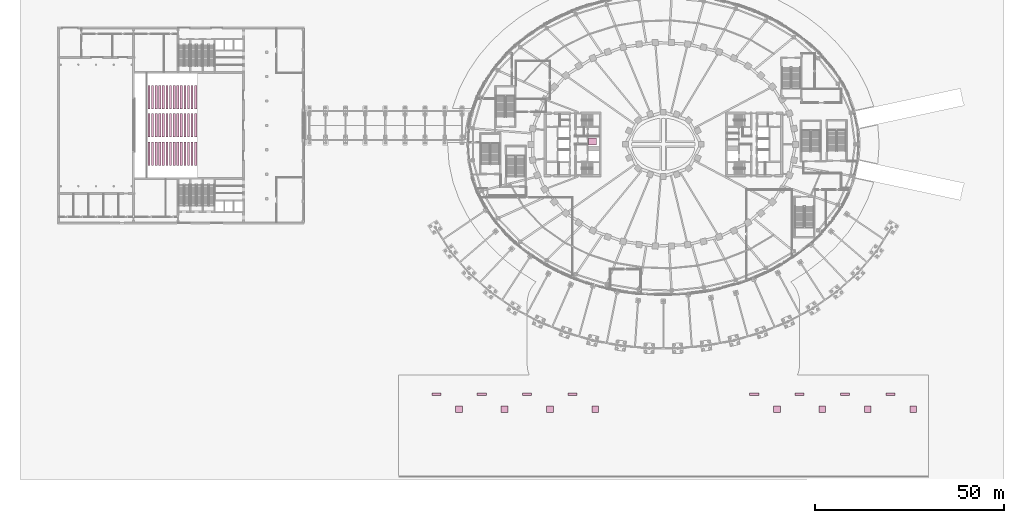
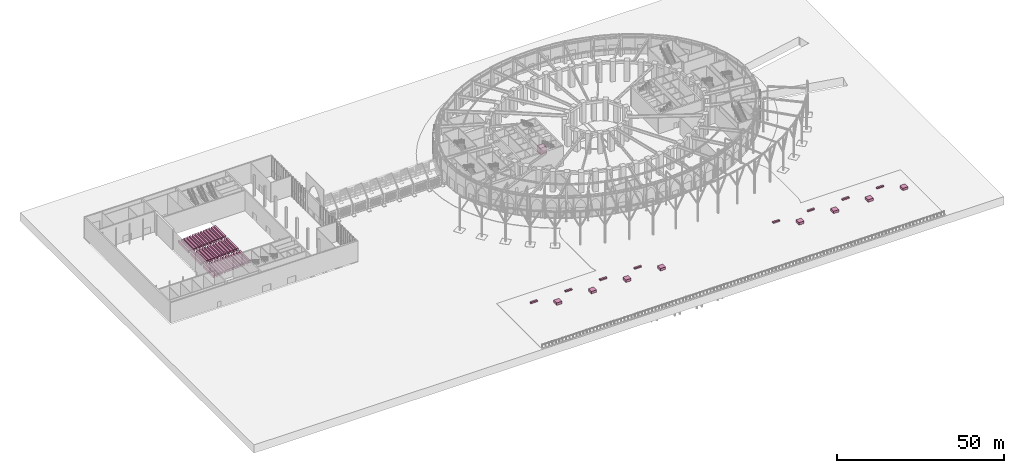
# One storey, part 79 of 79: 58 furnishings, 1 transport element.
"""IFC4 building model written with IfcOpenShell, lengths in metres."""

from ifc_helpers import new_model, si_unit, direction, frame, origin, origin_2d, place, context, subcontext, project, spatial, rectangle, extrude, material, type_object, element, save


model = new_model("IFC4")

# Units and contexts
model_context = context("Model", 3, precision=1e-05, world=origin(), true_north=direction((0.0, 1.0)))
body_context = subcontext(model_context, "Body", "Model", "MODEL_VIEW")
ifc_project = project(units=[si_unit("LENGTHUNIT", "METRE"), si_unit("AREAUNIT", "SQUARE_METRE"), si_unit("VOLUMEUNIT", "CUBIC_METRE"), si_unit("PLANEANGLEUNIT", "RADIAN"), si_unit("MASSUNIT", "GRAM", prefix="KILO")], contexts=[model_context])

# Site, building, storey
site_placement = place(None, origin())
site = spatial("IfcSite", under=ifc_project, at=site_placement, CompositionType="ELEMENT")
building_placement = place(site_placement, origin())
building = spatial("IfcBuilding", under=site, at=building_placement, Name="Noorbagh Ring Tower", CompositionType="ELEMENT")
storey_placement = place(building_placement, origin())
storey = spatial("IfcBuildingStorey", under=building, at=storey_placement, Name="L00", CompositionType="ELEMENT", Elevation=0.0)

# Transport element
ifc_material_1 = material(Name="Brushed stainless steel", Category="steel")
transport_element_type = type_object("IfcTransportElementType", Name="CORE-LIFT-OB", PredefinedType="ELEVATOR", material=ifc_material_1)
transport_element_placement = place(storey_placement, frame((-18.699951171875, 0.77490234375, 0.0), z_axis=(0.0, 0.0, 1.0), x_axis=(1.0, 0.0, 0.0)))
element("IfcTransportElement", 1, at=transport_element_placement, inside=storey, type_object=transport_element_type, Name="Lift OB1", PredefinedType="ELEVATOR", context=body_context, shape_type="SweptSolid", body=[
    extrude(rectangle(XDim=2.10009765625, YDim=1.800048828125, at=origin_2d()), origin(), (0.0, 0.0, 1.0), 2.39990234375),
])

# Furnishings
ifc_material_2 = material(Name="Red sandstone", Category="masonry")
furnishing_element_type_1 = type_object("IfcFurnishingElementType", Name="GND-BENCH", material=ifc_material_2)
for number, where, z_axis, x_axis, name in (
    (2, (-60.0, -66.0, 0.0), (0.0, 0.0, 1.0), (1.0, 0.0, 0.0), "BENCH"),
    (3, (-48.0, -66.0, 0.0), (0.0, 0.0, 1.0), (1.0, 0.0, 0.0), "BENCH"),
    (4, (-36.0, -66.0, 0.0), (0.0, 0.0, 1.0), (1.0, 0.0, 0.0), "BENCH"),
    (5, (-24.0, -66.0, 0.0), (0.0, 0.0, 1.0), (1.0, 0.0, 0.0), "BENCH"),
    (6, (24.0, -66.0, 0.0), (0.0, 0.0, 1.0), (1.0, 0.0, 0.0), "BENCH"),
    (7, (36.0, -66.0, 0.0), (0.0, 0.0, 1.0), (1.0, 0.0, 0.0), "BENCH"),
    (8, (48.0, -66.0, 0.0), (0.0, 0.0, 1.0), (1.0, 0.0, 0.0), "BENCH"),
    (9, (60.0, -66.0, 0.0), (0.0, 0.0, 1.0), (1.0, 0.0, 0.0), "BENCH"),
):
    element("IfcFurnishingElement", number, at=place(storey_placement, frame(where, z_axis=z_axis, x_axis=x_axis)), inside=storey, type_object=furnishing_element_type_1, Name=name, context=body_context, shape_type="SweptSolid", body=[
        extrude(rectangle(XDim=2.39990234375, YDim=0.60009765625, at=origin_2d()), origin(), (0.0, 0.0, 1.0), 0.449951171875),
    ])
ifc_material_3 = material(Name="Concrete C40/50", Category="concrete")
furnishing_element_type_2 = type_object("IfcFurnishingElementType", Name="GND-PLANTER", material=ifc_material_3)
for number, where, z_axis, x_axis, name in (
    (10, (-54.0, -70.0, 0.0), (0.0, 0.0, 1.0), (1.0, 0.0, 0.0), "PLANTER"),
    (11, (-42.0, -70.0, 0.0), (0.0, 0.0, 1.0), (1.0, 0.0, 0.0), "PLANTER"),
    (12, (-30.0, -70.0, 0.0), (0.0, 0.0, 1.0), (1.0, 0.0, 0.0), "PLANTER"),
    (13, (-18.0, -70.0, 0.0), (0.0, 0.0, 1.0), (1.0, 0.0, 0.0), "PLANTER"),
    (14, (30.0, -70.0, 0.0), (0.0, 0.0, 1.0), (1.0, 0.0, 0.0), "PLANTER"),
    (15, (42.0, -70.0, 0.0), (0.0, 0.0, 1.0), (1.0, 0.0, 0.0), "PLANTER"),
    (16, (54.0, -70.0, 0.0), (0.0, 0.0, 1.0), (1.0, 0.0, 0.0), "PLANTER"),
    (17, (66.0, -70.0, 0.0), (0.0, 0.0, 1.0), (1.0, 0.0, 0.0), "PLANTER"),
):
    element("IfcFurnishingElement", number, at=place(storey_placement, frame(where, z_axis=z_axis, x_axis=x_axis)), inside=storey, type_object=furnishing_element_type_2, Name=name, context=body_context, shape_type="SweptSolid", body=[
        extrude(rectangle(XDim=1.800048828125, YDim=1.800048828125, at=origin_2d()), origin(), (0.0, 0.0, 1.0), 0.89990234375),
    ])
ifc_material_4 = material(Name="Upholstered timber seating", Category="wood")
furnishing_element_type_3 = type_object("IfcFurnishingElementType", Name="TH-SEATROW", material=ifc_material_4)
for number, where, z_axis, x_axis, name in (
    (18, (-135.925048828125, -2.43994140625, -1.0625), (0.0, 0.0, 1.0), (1.0, 0.0, 0.0), "Stalls row 1 block A"),
    (19, (-135.925048828125, 5.0, -1.0625), (0.0, 0.0, 1.0), (1.0, 0.0, 0.0), "Stalls row 1 block B"),
    (20, (-135.925048828125, 12.43994140625, -1.0625), (0.0, 0.0, 1.0), (1.0, 0.0, 0.0), "Stalls row 1 block C"),
    (21, (-134.97509765625, -2.43994140625, -0.9873046875), (0.0, 0.0, 1.0), (1.0, 0.0, 0.0), "Stalls row 2 block A"),
    (22, (-134.97509765625, 5.0, -0.9873046875), (0.0, 0.0, 1.0), (1.0, 0.0, 0.0), "Stalls row 2 block B"),
    (23, (-134.97509765625, 12.43994140625, -0.9873046875), (0.0, 0.0, 1.0), (1.0, 0.0, 0.0), "Stalls row 2 block C"),
    (24, (-134.02490234375, -2.43994140625, -0.91259765625), (0.0, 0.0, 1.0), (1.0, 0.0, 0.0), "Stalls row 3 block A"),
    (25, (-134.02490234375, 5.0, -0.91259765625), (0.0, 0.0, 1.0), (1.0, 0.0, 0.0), "Stalls row 3 block B"),
    (26, (-134.02490234375, 12.43994140625, -0.91259765625), (0.0, 0.0, 1.0), (1.0, 0.0, 0.0), "Stalls row 3 block C"),
    (27, (-133.074951171875, -2.43994140625, -0.83740234375), (0.0, 0.0, 1.0), (1.0, 0.0, 0.0), "Stalls row 4 block A"),
    (28, (-133.074951171875, 5.0, -0.83740234375), (0.0, 0.0, 1.0), (1.0, 0.0, 0.0), "Stalls row 4 block B"),
    (29, (-133.074951171875, 12.43994140625, -0.83740234375), (0.0, 0.0, 1.0), (1.0, 0.0, 0.0), "Stalls row 4 block C"),
    (30, (-132.125, -2.43994140625, -0.7626953125), (0.0, 0.0, 1.0), (1.0, 0.0, 0.0), "Stalls row 5 block A"),
    (31, (-132.125, 5.0, -0.7626953125), (0.0, 0.0, 1.0), (1.0, 0.0, 0.0), "Stalls row 5 block B"),
    (32, (-132.125, 12.43994140625, -0.7626953125), (0.0, 0.0, 1.0), (1.0, 0.0, 0.0), "Stalls row 5 block C"),
    (33, (-131.175048828125, -2.43994140625, -0.6875), (0.0, 0.0, 1.0), (1.0, 0.0, 0.0), "Stalls row 6 block A"),
    (34, (-131.175048828125, 5.0, -0.6875), (0.0, 0.0, 1.0), (1.0, 0.0, 0.0), "Stalls row 6 block B"),
    (35, (-131.175048828125, 12.43994140625, -0.6875), (0.0, 0.0, 1.0), (1.0, 0.0, 0.0), "Stalls row 6 block C"),
    (36, (-130.22509765625, -2.43994140625, -0.6123046875), (0.0, 0.0, 1.0), (1.0, 0.0, 0.0), "Stalls row 7 block A"),
    (37, (-130.22509765625, 5.0, -0.6123046875), (0.0, 0.0, 1.0), (1.0, 0.0, 0.0), "Stalls row 7 block B"),
    (38, (-130.22509765625, 12.43994140625, -0.6123046875), (0.0, 0.0, 1.0), (1.0, 0.0, 0.0), "Stalls row 7 block C"),
    (39, (-129.27490234375, -2.43994140625, -0.53759765625), (0.0, 0.0, 1.0), (1.0, 0.0, 0.0), "Stalls row 8 block A"),
    (40, (-129.27490234375, 5.0, -0.53759765625), (0.0, 0.0, 1.0), (1.0, 0.0, 0.0), "Stalls row 8 block B"),
    (41, (-129.27490234375, 12.43994140625, -0.53759765625), (0.0, 0.0, 1.0), (1.0, 0.0, 0.0), "Stalls row 8 block C"),
    (42, (-128.324951171875, -2.43994140625, -0.46240234375), (0.0, 0.0, 1.0), (1.0, 0.0, 0.0), "Stalls row 9 block A"),
    (43, (-128.324951171875, 5.0, -0.46240234375), (0.0, 0.0, 1.0), (1.0, 0.0, 0.0), "Stalls row 9 block B"),
    (44, (-128.324951171875, 12.43994140625, -0.46240234375), (0.0, 0.0, 1.0), (1.0, 0.0, 0.0), "Stalls row 9 block C"),
    (45, (-127.375, -2.43994140625, -0.3876953125), (0.0, 0.0, 1.0), (1.0, 0.0, 0.0), "Stalls row 10 block A"),
    (46, (-127.375, 5.0, -0.3876953125), (0.0, 0.0, 1.0), (1.0, 0.0, 0.0), "Stalls row 10 block B"),
    (47, (-127.375, 12.43994140625, -0.3876953125), (0.0, 0.0, 1.0), (1.0, 0.0, 0.0), "Stalls row 10 block C"),
    (48, (-126.425048828125, -2.43994140625, -0.3125), (0.0, 0.0, 1.0), (1.0, 0.0, 0.0), "Stalls row 11 block A"),
    (49, (-126.425048828125, 5.0, -0.3125), (0.0, 0.0, 1.0), (1.0, 0.0, 0.0), "Stalls row 11 block B"),
    (50, (-126.425048828125, 12.43994140625, -0.3125), (0.0, 0.0, 1.0), (1.0, 0.0, 0.0), "Stalls row 11 block C"),
    (51, (-125.47509765625, -2.43994140625, -0.2373046875), (0.0, 0.0, 1.0), (1.0, 0.0, 0.0), "Stalls row 12 block A"),
    (52, (-125.47509765625, 5.0, -0.2373046875), (0.0, 0.0, 1.0), (1.0, 0.0, 0.0), "Stalls row 12 block B"),
    (53, (-125.47509765625, 12.43994140625, -0.2373046875), (0.0, 0.0, 1.0), (1.0, 0.0, 0.0), "Stalls row 12 block C"),
    (54, (-124.52490234375, -2.43994140625, -0.16259765625), (0.0, 0.0, 1.0), (1.0, 0.0, 0.0), "Stalls row 13 block A"),
    (55, (-124.52490234375, 5.0, -0.16259765625), (0.0, 0.0, 1.0), (1.0, 0.0, 0.0), "Stalls row 13 block B"),
    (56, (-124.52490234375, 12.43994140625, -0.16259765625), (0.0, 0.0, 1.0), (1.0, 0.0, 0.0), "Stalls row 13 block C"),
    (57, (-123.574951171875, -2.43994140625, -0.08740234375), (0.0, 0.0, 1.0), (1.0, 0.0, 0.0), "Stalls row 14 block A"),
    (58, (-123.574951171875, 5.0, -0.08740234375), (0.0, 0.0, 1.0), (1.0, 0.0, 0.0), "Stalls row 14 block B"),
    (59, (-123.574951171875, 12.43994140625, -0.08740234375), (0.0, 0.0, 1.0), (1.0, 0.0, 0.0), "Stalls row 14 block C"),
):
    element("IfcFurnishingElement", number, at=place(storey_placement, frame(where, z_axis=z_axis, x_axis=x_axis)), inside=storey, type_object=furnishing_element_type_3, Name=name, context=body_context, shape_type="SweptSolid", body=[
        extrude(rectangle(XDim=0.60009765625, YDim=6.239990234375, at=origin_2d()), origin(), (0.0, 0.0, 1.0), 0.949951171875),
    ])

save(model, "model.ifc")
